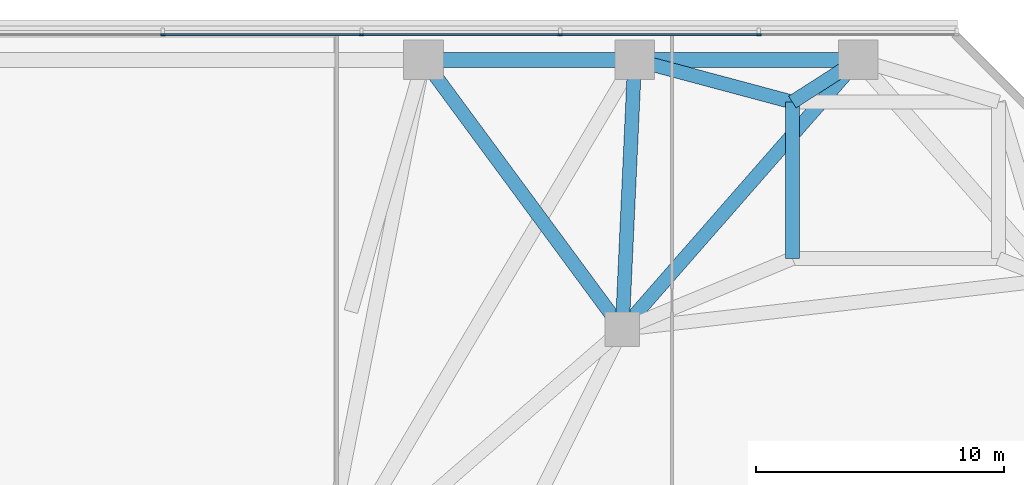
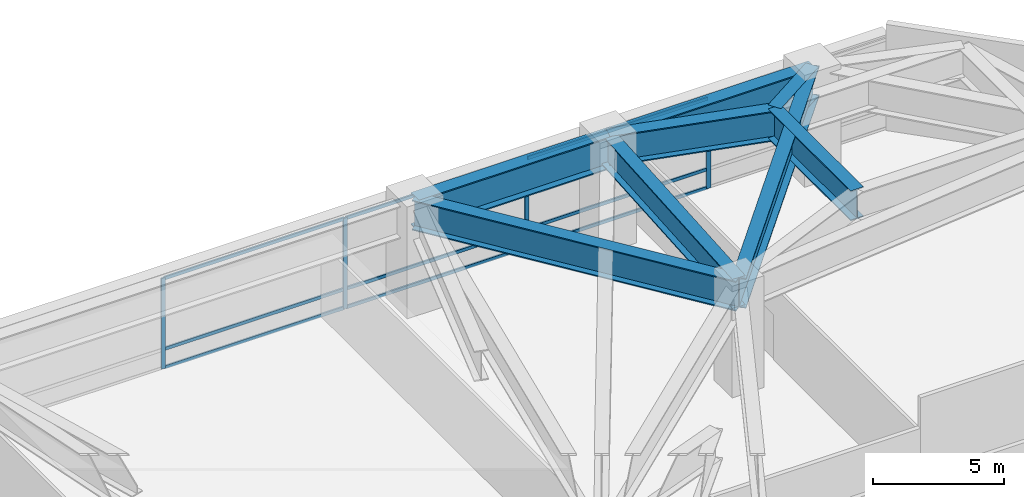
# One storey, part 11 of 27: 13 members, 8 beams, 1 element without a shape of its own.
"""IFC4 building model written with IfcOpenShell, lengths in metres."""

from ifc_helpers import new_model, si_unit, direction, frame, origin, origin_2d, place, context, subcontext, project, spatial, rectangle, i_section, extrude, material, layer, layer_set, material_profile, profile_set, type_object, element, aggregate, save


model = new_model("IFC4")

# Units and contexts
model_context = context("Model", 3, precision=1e-05, world=origin(), true_north=direction((0.0, 1.0)))
body_context = subcontext(model_context, "Body", "Model", "MODEL_VIEW")
ifc_project = project(units=[si_unit("LENGTHUNIT", "METRE"), si_unit("AREAUNIT", "SQUARE_METRE"), si_unit("VOLUMEUNIT", "CUBIC_METRE"), si_unit("PLANEANGLEUNIT", "RADIAN"), si_unit("MASSUNIT", "GRAM", prefix="KILO")], contexts=[model_context])

# Site, building, storey
site_placement = place(None, origin())
site = spatial("IfcSite", under=ifc_project, at=site_placement, CompositionType="ELEMENT")
building_placement = place(site_placement, origin())
building = spatial("IfcBuilding", under=site, at=building_placement, Name="Terralouvre Media Tower", CompositionType="ELEMENT")
storey_placement = place(building_placement, frame((0.0, 0.0, 20.800048828125)))
storey = spatial("IfcBuildingStorey", under=building, at=storey_placement, Name="L04", CompositionType="ELEMENT", Elevation=20.800048828125)

# Curtain wall, members
ifc_material_1 = material(Name="Low-iron laminated double glazing with solar-control coating", Category="glass")
ifc_layer = layer(ifc_material_1, 0.1650390625, Name="Podium Broadcast Gallery Glazing CW-01")
ifc_layer_set = layer_set([ifc_layer], Name="Low-iron laminated double glazing with solar-control coating")
curtain_wall_type = type_object("IfcCurtainWallType", Name="Podium Broadcast Gallery Glazing CW-01", PredefinedType="NOTDEFINED", material=ifc_layer_set)
curtain_wall_placement = place(storey_placement, origin())
curtain_wall = element("IfcCurtainWall", 1, at=curtain_wall_placement, inside=storey, type_object=curtain_wall_type, Name="L04 Podium Curtain Wall F4", PredefinedType="NOTDEFINED")
ifc_material_2 = material(Name="Anodised extruded aluminium 6063-T6", Category="aluminium")
ifc_material_profile_1 = material_profile(ifc_material_2, rectangle(XDim=0.074951171875, YDim=0.14990234375, at=origin_2d()), Name="ALU 75x150")
ifc_profile_set_1 = profile_set([ifc_material_profile_1], Name="Anodised extruded aluminium 6063-T6")
member_type_1 = type_object("IfcMemberType", Name="Curtain-Wall Horizontal Transom TR-150", PredefinedType="USERDEFINED", material=ifc_profile_set_1)
member_1_placement = place(storey_placement, frame((23.96240234375, 33.360107421875, 0.037353515625), z_axis=(-1.0, 0.0, 0.0), x_axis=(0.0, -1.0, 0.0)))
member_1 = element("IfcMember", 2, at=member_1_placement, type_object=member_type_1, Name="CW-01 transom 2.1", ObjectType="TRANSOM", PredefinedType="USERDEFINED", context=body_context, shape_type="SweptSolid", body=[
    extrude(rectangle(XDim=0.074951171875, YDim=0.14990234375, at=origin_2d()), origin(), (0.0, 0.0, 1.0), 7.9248046875),
])
member_2_placement = place(storey_placement, frame((23.96240234375, 33.360107421875, 0.89990234375), z_axis=(-1.0, 0.0, 0.0), x_axis=(0.0, -1.0, 0.0)))
member_2 = element("IfcMember", 3, at=member_2_placement, type_object=member_type_1, Name="CW-01 transom 2.2", ObjectType="TRANSOM", PredefinedType="USERDEFINED", context=body_context, shape_type="SweptSolid", body=[
    extrude(rectangle(XDim=0.074951171875, YDim=0.14990234375, at=origin_2d()), origin(), (0.0, 0.0, 1.0), 7.9248046875),
])
member_3_placement = place(storey_placement, frame((23.96240234375, 33.360107421875, 4.182373046875), z_axis=(-1.0, 0.0, 0.0), x_axis=(0.0, -1.0, 0.0)))
member_3 = element("IfcMember", 4, at=member_3_placement, type_object=member_type_1, Name="CW-01 transom 2.3", ObjectType="TRANSOM", PredefinedType="USERDEFINED", context=body_context, shape_type="SweptSolid", body=[
    extrude(rectangle(XDim=0.074951171875, YDim=0.14990234375, at=origin_2d()), origin(), (0.0, 0.0, 1.0), 7.9248046875),
])
member_4_placement = place(storey_placement, frame((15.96240234375, 33.360107421875, 0.037353515625), z_axis=(-1.0, 0.0, 0.0), x_axis=(0.0, -1.0, 0.0)))
member_4 = element("IfcMember", 5, at=member_4_placement, type_object=member_type_1, Name="CW-01 transom 3.1", ObjectType="TRANSOM", PredefinedType="USERDEFINED", context=body_context, shape_type="SweptSolid", body=[
    extrude(rectangle(XDim=0.074951171875, YDim=0.14990234375, at=origin_2d()), origin(), (0.0, 0.0, 1.0), 7.9248046875),
])
member_5_placement = place(storey_placement, frame((15.96240234375, 33.360107421875, 0.89990234375), z_axis=(-1.0, 0.0, 0.0), x_axis=(0.0, -1.0, 0.0)))
member_5 = element("IfcMember", 6, at=member_5_placement, type_object=member_type_1, Name="CW-01 transom 3.2", ObjectType="TRANSOM", PredefinedType="USERDEFINED", context=body_context, shape_type="SweptSolid", body=[
    extrude(rectangle(XDim=0.074951171875, YDim=0.14990234375, at=origin_2d()), origin(), (0.0, 0.0, 1.0), 7.9248046875),
])
member_6_placement = place(storey_placement, frame((15.96240234375, 33.360107421875, 4.182373046875), z_axis=(-1.0, 0.0, 0.0), x_axis=(0.0, -1.0, 0.0)))
member_6 = element("IfcMember", 7, at=member_6_placement, type_object=member_type_1, Name="CW-01 transom 3.3", ObjectType="TRANSOM", PredefinedType="USERDEFINED", context=body_context, shape_type="SweptSolid", body=[
    extrude(rectangle(XDim=0.074951171875, YDim=0.14990234375, at=origin_2d()), origin(), (0.0, 0.0, 1.0), 7.9248046875),
])
member_7_placement = place(storey_placement, frame((7.96240234375, 33.360107421875, 0.037353515625), z_axis=(-1.0, 0.0, 0.0), x_axis=(0.0, -1.0, 0.0)))
member_7 = element("IfcMember", 8, at=member_7_placement, type_object=member_type_1, Name="CW-01 transom 4.1", ObjectType="TRANSOM", PredefinedType="USERDEFINED", context=body_context, shape_type="SweptSolid", body=[
    extrude(rectangle(XDim=0.074951171875, YDim=0.14990234375, at=origin_2d()), origin(), (0.0, 0.0, 1.0), 7.9248046875),
])
member_8_placement = place(storey_placement, frame((7.96240234375, 33.360107421875, 0.89990234375), z_axis=(-1.0, 0.0, 0.0), x_axis=(0.0, -1.0, 0.0)))
member_8 = element("IfcMember", 9, at=member_8_placement, type_object=member_type_1, Name="CW-01 transom 4.2", ObjectType="TRANSOM", PredefinedType="USERDEFINED", context=body_context, shape_type="SweptSolid", body=[
    extrude(rectangle(XDim=0.074951171875, YDim=0.14990234375, at=origin_2d()), origin(), (0.0, 0.0, 1.0), 7.9248046875),
])
member_9_placement = place(storey_placement, frame((7.96240234375, 33.360107421875, 4.182373046875), z_axis=(-1.0, 0.0, 0.0), x_axis=(0.0, -1.0, 0.0)))
member_9 = element("IfcMember", 10, at=member_9_placement, type_object=member_type_1, Name="CW-01 transom 4.3", ObjectType="TRANSOM", PredefinedType="USERDEFINED", context=body_context, shape_type="SweptSolid", body=[
    extrude(rectangle(XDim=0.074951171875, YDim=0.14990234375, at=origin_2d()), origin(), (0.0, 0.0, 1.0), 7.9248046875),
])
ifc_material_3 = material(Name="Anodised extruded aluminium 6063-T6", Category="aluminium")
ifc_material_profile_2 = material_profile(ifc_material_3, rectangle(XDim=0.074951171875, YDim=0.179931640625, at=origin_2d()), Name="ALU 75x180")
ifc_profile_set_2 = profile_set([ifc_material_profile_2], Name="Anodised extruded aluminium 6063-T6")
member_type_2 = type_object("IfcMemberType", Name="Curtain-Wall Vertical Mullion ML-180", PredefinedType="MULLION", material=ifc_profile_set_2)
member_10_placement = place(storey_placement, frame((24.0, 33.360107421875, 0.0), z_axis=(0.0, 0.0, 1.0), x_axis=(0.0, -1.0, 0.0)))
member_10 = element("IfcMember", 11, at=member_10_placement, type_object=member_type_2, Name="CW-01 mullion 2", PredefinedType="MULLION", context=body_context, shape_type="SweptSolid", body=[
    extrude(rectangle(XDim=0.074951171875, YDim=0.179931640625, at=origin_2d()), origin(), (0.0, 0.0, 1.0), 4.219970703125),
])
member_11_placement = place(storey_placement, frame((16.0, 33.360107421875, 0.0), z_axis=(0.0, 0.0, 1.0), x_axis=(0.0, -1.0, 0.0)))
member_11 = element("IfcMember", 12, at=member_11_placement, type_object=member_type_2, Name="CW-01 mullion 3", PredefinedType="MULLION", context=body_context, shape_type="SweptSolid", body=[
    extrude(rectangle(XDim=0.074951171875, YDim=0.179931640625, at=origin_2d()), origin(), (0.0, 0.0, 1.0), 4.219970703125),
])
member_12_placement = place(storey_placement, frame((8.0, 33.360107421875, 0.0), z_axis=(0.0, 0.0, 1.0), x_axis=(0.0, -1.0, 0.0)))
member_12 = element("IfcMember", 13, at=member_12_placement, type_object=member_type_2, Name="CW-01 mullion 4", PredefinedType="MULLION", context=body_context, shape_type="SweptSolid", body=[
    extrude(rectangle(XDim=0.074951171875, YDim=0.179931640625, at=origin_2d()), origin(), (0.0, 0.0, 1.0), 4.219970703125),
])
member_13_placement = place(storey_placement, frame((0.0, 33.360107421875, 0.0), z_axis=(0.0, 0.0, 1.0), x_axis=(0.0, -1.0, 0.0)))
member_13 = element("IfcMember", 14, at=member_13_placement, type_object=member_type_2, Name="CW-01 mullion 5", PredefinedType="MULLION", context=body_context, shape_type="SweptSolid", body=[
    extrude(rectangle(XDim=0.074951171875, YDim=0.179931640625, at=origin_2d()), origin(), (0.0, 0.0, 1.0), 4.219970703125),
])
aggregate(curtain_wall, [member_10, member_11, member_12, member_13, member_1, member_2, member_3, member_4, member_5, member_6, member_7, member_8, member_9])

# Beams
ifc_material_4 = material(Name="Structural steel S460M", Category="steel")
ifc_material_profile_3 = material_profile(ifc_material_4, i_section(OverallWidth=0.56005859375, OverallDepth=1.39990234375, WebThickness=0.031982421875, FlangeThickness=0.050048828125, at=origin_2d()), Name="TG 1400x560")
ifc_profile_set_3 = profile_set([ifc_material_profile_3], Name="Structural steel S460M")
beam_type_1 = type_object("IfcBeamType", Name="Welded Transfer Girder TG-1400 (TG 1400x560)", PredefinedType="USERDEFINED", material=ifc_profile_set_3)
beam_1_placement = place(storey_placement, frame((18.5, 21.5, 4.239990234375), z_axis=(0.046033681898, 0.998939888147, 0.0), x_axis=(-0.998939888147, 0.046033681898, 0.0)))
element("IfcBeam", 15, at=beam_1_placement, inside=storey, type_object=beam_type_1, Name="L04 Framing Beam BM-L04-PM20P1", ObjectType="TRANSFER GIRDER", PredefinedType="USERDEFINED", context=body_context, shape_type="SweptSolid", body=[
    extrude(i_section(OverallWidth=0.56005859375, OverallDepth=1.39990234375, WebThickness=0.031982421875, FlangeThickness=0.050048828125, at=origin_2d()), origin(), (0.0, 0.0, 1.0), 10.861572265625),
])
beam_2_placement = place(storey_placement, frame((18.5, 21.5, 4.239990234375), z_axis=(-0.593448591359, 0.804871896276, 0.0), x_axis=(-0.804871896276, -0.593448591359, 0.0)))
element("IfcBeam", 16, at=beam_2_placement, inside=storey, type_object=beam_type_1, Name="L04 Framing Beam BM-L04-PM20P2", ObjectType="TRANSFER GIRDER", PredefinedType="USERDEFINED", context=body_context, shape_type="SweptSolid", body=[
    extrude(i_section(OverallWidth=0.56005859375, OverallDepth=1.39990234375, WebThickness=0.031982421875, FlangeThickness=0.050048828125, at=origin_2d()), origin(), (0.0, 0.0, 1.0), 13.48046875),
])
beam_3_placement = place(storey_placement, frame((18.5, 21.5, 4.239990234375), z_axis=(0.658746675471, 0.752364816799, 0.0), x_axis=(-0.752364816799, 0.658746675471, 0.0)))
element("IfcBeam", 17, at=beam_3_placement, inside=storey, type_object=beam_type_1, Name="L04 Framing Beam BM-L04-RD11", ObjectType="TRANSFER GIRDER", PredefinedType="USERDEFINED", context=body_context, shape_type="SweptSolid", body=[
    extrude(i_section(OverallWidth=0.56005859375, OverallDepth=1.39990234375, WebThickness=0.031982421875, FlangeThickness=0.050048828125, at=origin_2d()), origin(), (0.0, 0.0, 1.0), 14.42138671875),
])
beam_4_placement = place(storey_placement, frame((25.35009765625, 30.64990234375, 4.239990234375), z_axis=(0.841656843752, 0.540012738151, 0.0), x_axis=(-0.540012738151, 0.841656843752, 0.0)))
element("IfcBeam", 18, at=beam_4_placement, inside=storey, type_object=beam_type_1, Name="L04 Framing Beam BM-L04-TR24S1", ObjectType="TRANSFER GIRDER", PredefinedType="USERDEFINED", context=body_context, shape_type="SweptSolid", body=[
    extrude(i_section(OverallWidth=0.56005859375, OverallDepth=1.39990234375, WebThickness=0.031982421875, FlangeThickness=0.050048828125, at=origin_2d()), origin(), (0.0, 0.0, 1.0), 3.1484375),
])
beam_5_placement = place(storey_placement, frame((25.35009765625, 30.64990234375, 4.239990234375), z_axis=(-0.965975560225, 0.258633364145, 0.0), x_axis=(-0.258633364145, -0.965975560225, 0.0)))
element("IfcBeam", 19, at=beam_5_placement, inside=storey, type_object=beam_type_1, Name="L04 Framing Beam BM-L04-TR24S2", ObjectType="TRANSFER GIRDER", PredefinedType="USERDEFINED", context=body_context, shape_type="SweptSolid", body=[
    extrude(i_section(OverallWidth=0.56005859375, OverallDepth=1.39990234375, WebThickness=0.031982421875, FlangeThickness=0.050048828125, at=origin_2d()), origin(), (0.0, 0.0, 1.0), 6.57373046875),
])
beam_6_placement = place(storey_placement, frame((25.35009765625, 30.64990234375, 4.239990234375), z_axis=(0.0, -1.0, 0.0), x_axis=(1.0, 0.0, 0.0)))
element("IfcBeam", 20, at=beam_6_placement, inside=storey, type_object=beam_type_1, Name="L04 Framing Beam BM-L04-PVR16", ObjectType="TRANSFER GIRDER", PredefinedType="USERDEFINED", context=body_context, shape_type="SweptSolid", body=[
    extrude(i_section(OverallWidth=0.56005859375, OverallDepth=1.39990234375, WebThickness=0.031982421875, FlangeThickness=0.050048828125, at=origin_2d()), origin(), (0.0, 0.0, 1.0), 6.2998046875),
])
ifc_material_5 = material(Name="Structural steel S460M", Category="steel")
ifc_material_profile_4 = material_profile(ifc_material_5, i_section(OverallWidth=0.60009765625, OverallDepth=1.5, WebThickness=0.033935546875, FlangeThickness=0.054931640625, at=origin_2d()), Name="PG 1500x600")
ifc_profile_set_4 = profile_set([ifc_material_profile_4], Name="Structural steel S460M")
beam_type_2 = type_object("IfcBeamType", Name="Welded Transfer Girder TG-1500 (PG 1500x600)", PredefinedType="USERDEFINED", material=ifc_profile_set_4)
beam_7_placement = place(storey_placement, frame((28.0, 32.35009765625, 4.18994140625), z_axis=(-1.0, 0.0, 0.0), x_axis=(0.0, -1.0, 0.0)))
element("IfcBeam", 21, at=beam_7_placement, inside=storey, type_object=beam_type_2, Name="L04 Framing Beam BM-L04-PR11", ObjectType="TRANSFER GIRDER", PredefinedType="USERDEFINED", context=body_context, shape_type="SweptSolid", body=[
    extrude(i_section(OverallWidth=0.60009765625, OverallDepth=1.5, WebThickness=0.033935546875, FlangeThickness=0.054931640625, at=origin_2d()), origin(), (0.0, 0.0, 1.0), 9.0),
])
beam_8_placement = place(storey_placement, frame((19.0, 32.35009765625, 4.18994140625), z_axis=(-1.0, 0.0, 0.0), x_axis=(0.0, -1.0, 0.0)))
element("IfcBeam", 22, at=beam_8_placement, inside=storey, type_object=beam_type_2, Name="L04 Framing Beam BM-L04-PR12", ObjectType="TRANSFER GIRDER", PredefinedType="USERDEFINED", context=body_context, shape_type="SweptSolid", body=[
    extrude(i_section(OverallWidth=0.60009765625, OverallDepth=1.5, WebThickness=0.033935546875, FlangeThickness=0.054931640625, at=origin_2d()), origin(), (0.0, 0.0, 1.0), 8.5),
])

save(model, "model.ifc")
